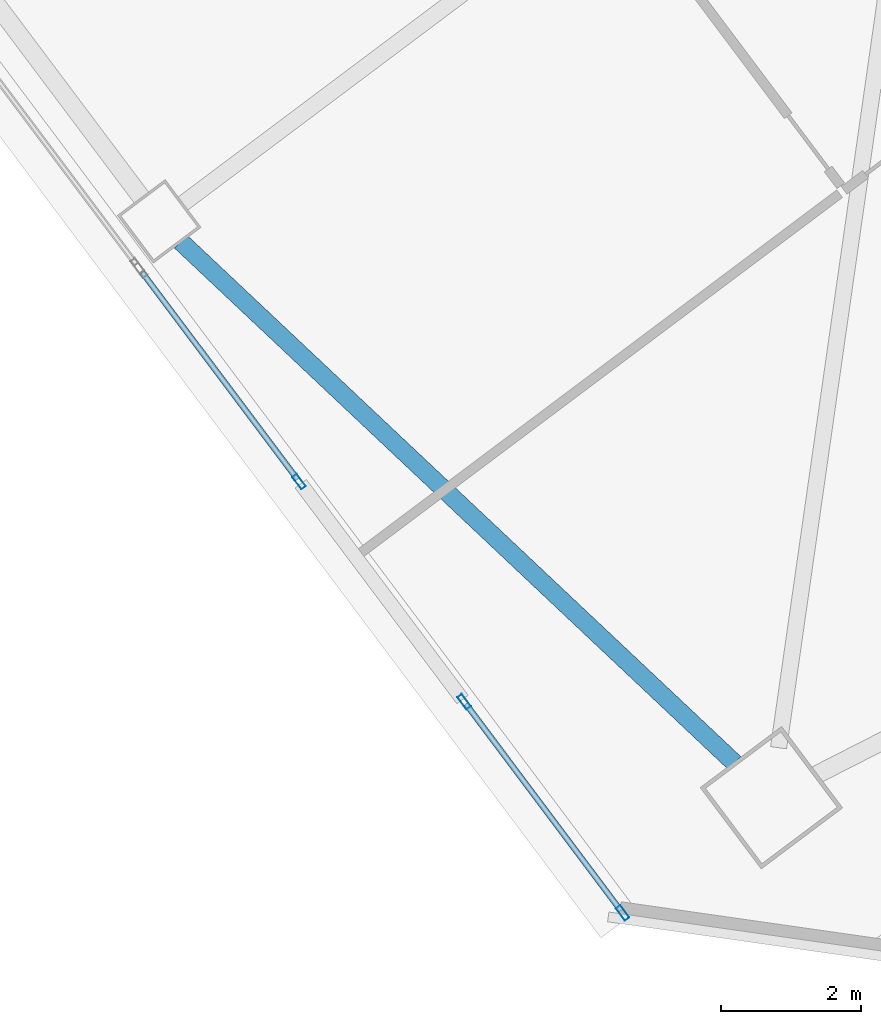
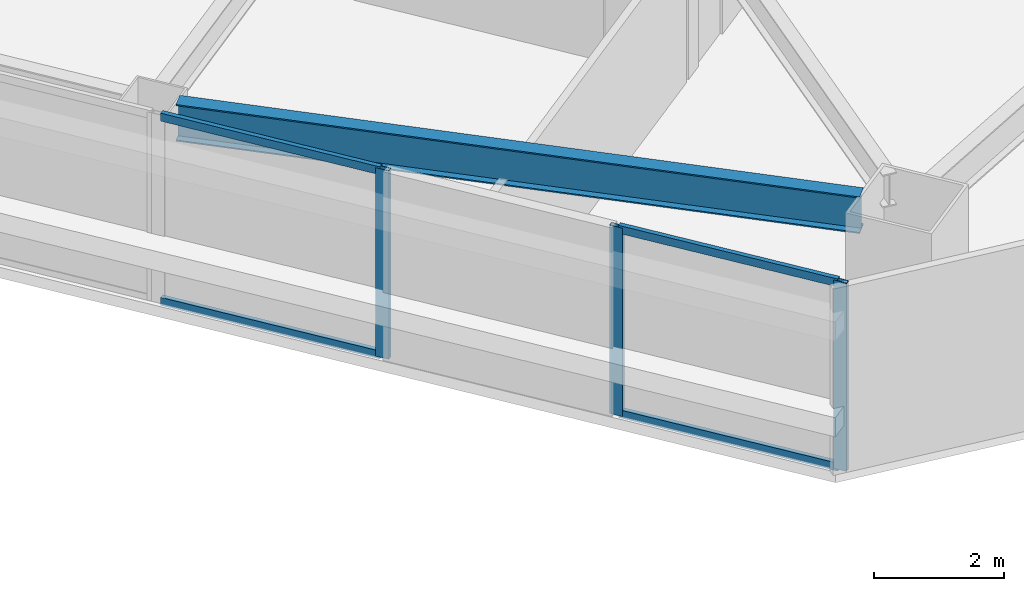
# One storey, part 20 of 48: 7 members, 1 beam, 2 elements without a shape of their own.
"""IFC4 building model written with IfcOpenShell, lengths in metres."""

from ifc_helpers import new_model, si_unit, direction, frame, origin, origin_2d, place, context, subcontext, project, spatial, hollow_rectangle, i_section, extrude, material, material_profile, profile_set, type_object, element, aggregate, save


model = new_model("IFC4")

# Units and contexts
model_context = context("Model", 3, precision=1e-05, world=origin(), true_north=direction((0.0, 1.0)))
body_context = subcontext(model_context, "Body", "Model", "MODEL_VIEW")
ifc_project = project(units=[si_unit("LENGTHUNIT", "METRE"), si_unit("AREAUNIT", "SQUARE_METRE"), si_unit("VOLUMEUNIT", "CUBIC_METRE"), si_unit("PLANEANGLEUNIT", "RADIAN"), si_unit("MASSUNIT", "GRAM", prefix="KILO")], contexts=[model_context])

# Site, building, storey
site_placement = place(None, origin())
site = spatial("IfcSite", under=ifc_project, at=site_placement, CompositionType="ELEMENT")
building_placement = place(site_placement, origin())
building = spatial("IfcBuilding", under=site, at=building_placement, Name="Tashvorn Skyway Center", CompositionType="ELEMENT")
storey_placement = place(building_placement, frame((0.0, 0.0, 77.85009765625)))
storey = spatial("IfcBuildingStorey", under=building, at=storey_placement, Name="L20", CompositionType="ELEMENT", Elevation=77.85009765625)

# Beam
ifc_material_1 = material(Name="Steel ASTM A992 Grade 50", Category="steel")
ifc_material_profile_1 = material_profile(ifc_material_1, i_section(OverallWidth=0.256103515625, OverallDepth=0.693115234375, WebThickness=0.014404296875, FlangeThickness=0.023681640625, at=origin_2d()), Name="W27X114")
ifc_profile_set_1 = profile_set([ifc_material_profile_1], Name="Steel ASTM A992 Grade 50")
beam_type = type_object("IfcBeamType", Name="BM-SPANDREL-W27X114", PredefinedType="SPANDREL", material=ifc_profile_set_1)
beam_placement = place(storey_placement, frame((102.145751953125, 15.842041015625, 3.00341796875), z_axis=(0.728086883893, -0.685484857238, 0.0), x_axis=(0.685484857238, 0.728086883893, 0.0)))
element("IfcBeam", 1, at=beam_placement, inside=storey, type_object=beam_type, Name="Tower 2 L20 Spandrel Beam 12", PredefinedType="SPANDREL", context=body_context, shape_type="SweptSolid", body=[
    extrude(i_section(OverallWidth=0.256103515625, OverallDepth=0.693115234375, WebThickness=0.014404296875, FlangeThickness=0.023681640625, at=origin_2d()), origin(), (0.0, 0.0, 1.0), 10.8369140625),
])

# Curtain wall, members
ifc_material_2 = material(Name="Thermally broken bronze-anodized aluminium 6063-T6", Category="aluminium")
curtain_wall_type = type_object("IfcCurtainWallType", Name="CW-CW-Z2", PredefinedType="NOTDEFINED", material=ifc_material_2)
curtain_wall_1_placement = place(storey_placement, origin())
curtain_wall_1 = element("IfcCurtainWall", 2, at=curtain_wall_1_placement, inside=storey, type_object=curtain_wall_type, Name="Tower 2 L20 West Unitised Curtain Wall Glazing Group 1", PredefinedType="NOTDEFINED")
ifc_material_profile_2 = material_profile(ifc_material_2, hollow_rectangle(XDim=0.080078125, YDim=0.219970703125, WallThickness=0.0048828125, at=origin_2d()), Name="ALU-MULL-80x220")
ifc_profile_set_2 = profile_set([ifc_material_profile_2], Name="Thermally broken bronze-anodized aluminium 6063-T6")
member_type_1 = type_object("IfcMemberType", Name="CWM-CW-Z2", PredefinedType="MULLION", material=ifc_profile_set_2)
member_1_placement = place(storey_placement, frame((108.43994140625, 6.280029296875, 0.0), z_axis=(0.0, 0.0, 1.0), x_axis=(-0.799999999998, -0.600000000002, 0.0)))
member_1 = element("IfcMember", 3, at=member_1_placement, type_object=member_type_1, Name="CW-Z2 mullion 1", PredefinedType="MULLION", context=body_context, shape_type="SweptSolid", body=[
    extrude(hollow_rectangle(XDim=0.080078125, YDim=0.219970703125, WallThickness=0.0048828125, at=origin_2d()), origin(), (0.0, 0.0, 1.0), 3.5498046875),
])
member_2_placement = place(storey_placement, frame((106.18408203125, 9.2880859375, 0.0), z_axis=(0.0, 0.0, 1.0), x_axis=(-0.799999999998, -0.600000000002, 0.0)))
member_2 = element("IfcMember", 4, at=member_2_placement, type_object=member_type_1, Name="CW-Z2 mullion 2", PredefinedType="MULLION", context=body_context, shape_type="SweptSolid", body=[
    extrude(hollow_rectangle(XDim=0.080078125, YDim=0.219970703125, WallThickness=0.0048828125, at=origin_2d()), origin(), (0.0, 0.0, 1.0), 3.5498046875),
])

# Curtain wall, member
curtain_wall_2_placement = place(storey_placement, origin())
curtain_wall_2 = element("IfcCurtainWall", 5, at=curtain_wall_2_placement, inside=storey, type_object=curtain_wall_type, Name="Tower 2 L20 West Unitised Curtain Wall Glazing Group 2", PredefinedType="NOTDEFINED")
member_3_placement = place(storey_placement, frame((103.83203125, 12.424072265625, 0.0), z_axis=(0.0, 0.0, 1.0), x_axis=(-0.799999999998, -0.600000000002, 0.0)))
member_3 = element("IfcMember", 6, at=member_3_placement, type_object=member_type_1, Name="CW-Z2 mullion 1", PredefinedType="MULLION", context=body_context, shape_type="SweptSolid", body=[
    extrude(hollow_rectangle(XDim=0.080078125, YDim=0.219970703125, WallThickness=0.0048828125, at=origin_2d()), origin(), (0.0, 0.0, 1.0), 3.5498046875),
])

# Member
ifc_material_profile_3 = material_profile(ifc_material_2, hollow_rectangle(XDim=0.080078125, YDim=0.14990234375, WallThickness=0.00439453125, at=origin_2d()), Name="ALU-TRAN-80x150")
ifc_profile_set_3 = profile_set([ifc_material_profile_3], Name="Thermally broken bronze-anodized aluminium 6063-T6")
member_type_2 = type_object("IfcMemberType", Name="CWT-CW-Z2", PredefinedType="USERDEFINED", material=ifc_profile_set_3)
member_4_placement = place(storey_placement, frame((108.416015625, 6.31201171875, 0.039794921875), z_axis=(-0.599989385363, 0.800007960868, 0.0), x_axis=(-0.800007960868, -0.599989385363, 0.0)))
member_4 = element("IfcMember", 7, at=member_4_placement, type_object=member_type_2, Name="CW-Z2 transom 1.1", ObjectType="TRANSOM", PredefinedType="USERDEFINED", context=body_context, shape_type="SweptSolid", body=[
    extrude(hollow_rectangle(XDim=0.080078125, YDim=0.14990234375, WallThickness=0.00439453125, at=origin_2d()), origin(), (0.0, 0.0, 1.0), 3.68017578125),
])

member_5_placement = place(storey_placement, frame((108.416015625, 6.31201171875, 3.510009765625), z_axis=(-0.599989385363, 0.800007960868, 0.0), x_axis=(-0.800007960868, -0.599989385363, 0.0)))
member_5 = element("IfcMember", 8, at=member_5_placement, type_object=member_type_2, Name="CW-Z2 transom 1.2", ObjectType="TRANSOM", PredefinedType="USERDEFINED", context=body_context, shape_type="SweptSolid", body=[
    extrude(hollow_rectangle(XDim=0.080078125, YDim=0.14990234375, WallThickness=0.00439453125, at=origin_2d()), origin(), (0.0, 0.0, 1.0), 3.68017578125),
])

aggregate(curtain_wall_1, [member_1, member_2, member_4, member_5])

member_6_placement = place(storey_placement, frame((103.80810546875, 12.4560546875, 0.039794921875), z_axis=(-0.600021230084, 0.799984076997, 0.0), x_axis=(-0.799984076997, -0.600021230084, 0.0)))
member_6 = element("IfcMember", 9, at=member_6_placement, type_object=member_type_2, Name="CW-Z2 transom 1.1", ObjectType="TRANSOM", PredefinedType="USERDEFINED", context=body_context, shape_type="SweptSolid", body=[
    extrude(hollow_rectangle(XDim=0.080078125, YDim=0.14990234375, WallThickness=0.00439453125, at=origin_2d()), origin(), (0.0, 0.0, 1.0), 3.679931640625),
])

member_7_placement = place(storey_placement, frame((103.80810546875, 12.4560546875, 3.510009765625), z_axis=(-0.600021230084, 0.799984076997, 0.0), x_axis=(-0.799984076997, -0.600021230084, 0.0)))
member_7 = element("IfcMember", 10, at=member_7_placement, type_object=member_type_2, Name="CW-Z2 transom 1.2", ObjectType="TRANSOM", PredefinedType="USERDEFINED", context=body_context, shape_type="SweptSolid", body=[
    extrude(hollow_rectangle(XDim=0.080078125, YDim=0.14990234375, WallThickness=0.00439453125, at=origin_2d()), origin(), (0.0, 0.0, 1.0), 3.679931640625),
])

aggregate(curtain_wall_2, [member_3, member_6, member_7])

save(model, "model.ifc")
